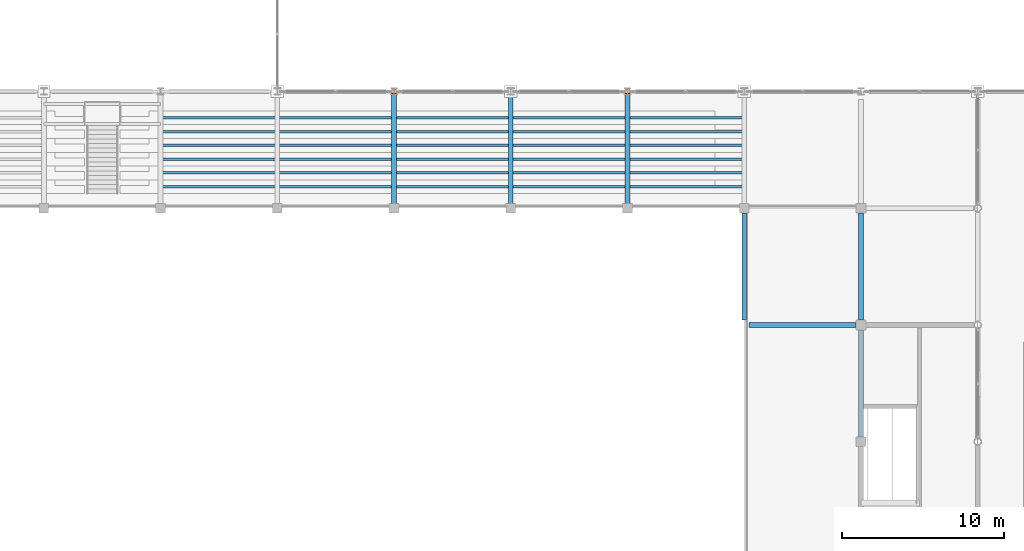
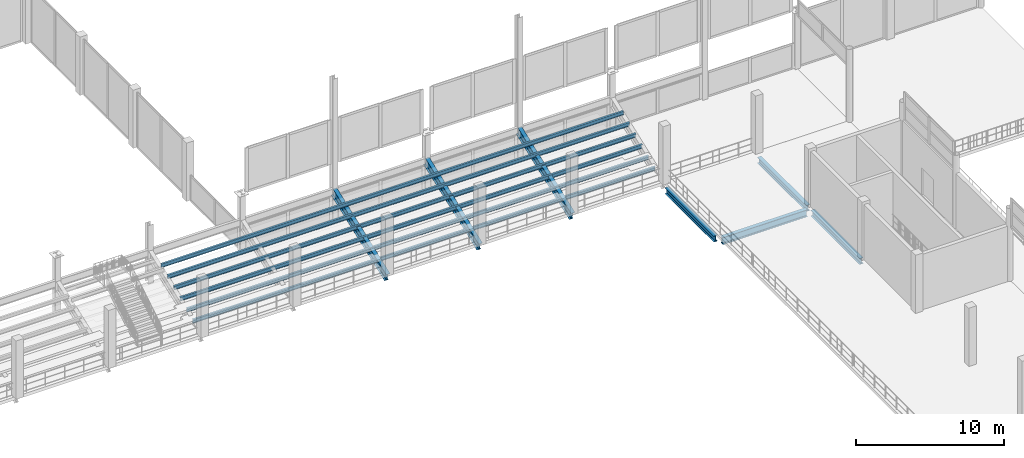
# One storey, part 53 of 120: 13 beams.
"""IFC4 building model written with IfcOpenShell, lengths in metres."""

import ifcopenshell
import ifcopenshell.guid

model = None  # the IFC model being written
_history = None  # IfcOwnerHistory: only IFC2X3 demands one
_inside = {}  # id of a spatial element -> (the spatial element, [elements in it])
_under = {}  # id of a project, library or spatial element -> (it, [spatial elements below it])
_declared = {}  # id of a project -> (the project, [libraries it declares])
_typed = {}  # id of a type object -> (the type object, [elements of that type])
_made_of = {}  # id of a material, layer set ... -> (it, [elements and type objects made of it])


def new_model(schema):
    """Start an empty IFC model of exactly this schema.

    Asked for "IFC4X3", IfcOpenShell would pick the latest addendum, in which some entities
    have other attributes; the version numbers below select the first issue.
    IFC2X3 requires an IfcOwnerHistory on every rooted entity: one is made here for all.
    """
    global model, _history
    if schema == "IFC4X3":
        model = ifcopenshell.file(schema_version=(4, 3, 0, 0))
    else:
        model = ifcopenshell.file(schema=schema)
    _inside.clear()
    _under.clear()
    _declared.clear()
    _typed.clear()
    _made_of.clear()
    _history = None
    if model.schema == "IFC2X3":
        org = make("IfcOrganization", Name="unknown")
        user = make(
            "IfcPersonAndOrganization",
            ThePerson=make("IfcPerson", FamilyName="unknown"),
            TheOrganization=org,
        )
        app = make(
            "IfcApplication",
            ApplicationDeveloper=org,
            Version="unknown",
            ApplicationFullName="unknown",
            ApplicationIdentifier="unknown",
        )
        _history = make(
            "IfcOwnerHistory",
            OwningUser=user,
            OwningApplication=app,
            ChangeAction="ADDED",
            CreationDate=0,
        )
    return model


def make(cls, **values):
    """One entity of the class cls with the attributes given. An attribute that is None is left unset."""
    return model.create_entity(
        cls, **{name: value for name, value in values.items() if value is not None}
    )


def rooted(cls, **values):
    """An entity with a GlobalId (a new one), such as an element, a storey or a relation."""
    return make(cls, GlobalId=ifcopenshell.guid.new(), OwnerHistory=_history, **values)


def si_unit(unit_type, name, prefix=None):
    """IfcSIUnit, for example si_unit("LENGTHUNIT", "METRE", prefix="MILLI")."""
    return make("IfcSIUnit", UnitType=unit_type, Prefix=prefix, Name=name)


def assignment(units):
    """IfcUnitAssignment: the units of a project."""
    return None if units is None else make("IfcUnitAssignment", Units=units)


def point(xyz):
    """IfcCartesianPoint."""
    return None if xyz is None else make("IfcCartesianPoint", Coordinates=xyz)


def direction(xyz):
    """IfcDirection."""
    return None if xyz is None else make("IfcDirection", DirectionRatios=xyz)


def frame(location, z_axis=None, x_axis=None):
    """IfcAxis2Placement3D, a coordinate frame: its origin and axes. An axis left out is left unset."""
    return make(
        "IfcAxis2Placement3D",
        Location=point(location),
        Axis=direction(z_axis),
        RefDirection=direction(x_axis),
    )


def frame_2d(location, x_axis=None):
    """IfcAxis2Placement2D, a coordinate frame in the plane: its origin and x axis."""
    return make(
        "IfcAxis2Placement2D", Location=point(location), RefDirection=direction(x_axis)
    )


def origin():
    """The frame at (0, 0, 0) with its axes left unset."""
    return frame((0.0, 0.0, 0.0))


def origin_2d():
    """The frame at (0, 0) in the plane with its x axis left unset."""
    return frame_2d((0.0, 0.0))


def place(relative_to, where):
    """IfcLocalPlacement: puts the frame where relative to a parent placement (None: the world)."""
    return make(
        "IfcLocalPlacement", PlacementRelTo=relative_to, RelativePlacement=where
    )


def context(
    kind, dimensions, precision=None, world=None, true_north=None, identifier=None
):
    """IfcGeometricRepresentationContext, for example the 3D "Model" context."""
    return make(
        "IfcGeometricRepresentationContext",
        ContextIdentifier=identifier,
        ContextType=kind,
        CoordinateSpaceDimension=dimensions,
        Precision=precision,
        WorldCoordinateSystem=world,
        TrueNorth=true_north,
    )


def subcontext(parent, identifier, kind, view, scale=None):
    """IfcGeometricRepresentationSubContext, for example "Body" below "Model"."""
    return make(
        "IfcGeometricRepresentationSubContext",
        ContextIdentifier=identifier,
        ContextType=kind,
        ParentContext=parent,
        TargetScale=scale,
        TargetView=view,
    )


def project(units=None, contexts=None):
    """IfcProject with its units and contexts."""
    return rooted(
        "IfcProject",
        Name="project",
        RepresentationContexts=contexts,
        UnitsInContext=assignment(units),
    )


def spatial(cls, under=None, at=None, **own):
    """A site, building, storey or space (cls), placed at a placement, below another one or the project."""
    s = rooted(cls, ObjectPlacement=at, **own)
    if under is not None:
        _under.setdefault(under.id(), (under, []))[1].append(s)
    return s


def profile(cls, at=None, kind="AREA", **sizes):
    """A parametric profile (cls). Its sizes go by their IFC names, for example OverallWidth=200.0."""
    return make(cls, ProfileType=kind, Position=at, **sizes)


def i_section(**sizes):
    """IfcIShapeProfileDef."""
    return profile("IfcIShapeProfileDef", **sizes)


def extrude(swept, where, along, depth):
    """IfcExtrudedAreaSolid: the profile swept, set in the frame where, extruded along a direction by depth."""
    return make(
        "IfcExtrudedAreaSolid",
        SweptArea=swept,
        Position=where,
        ExtrudedDirection=direction(along),
        Depth=depth,
    )


def shape(context_of_items, identifier, shape_type, items):
    """IfcShapeRepresentation: the items that make up one representation, for example the "Body"."""
    return make(
        "IfcShapeRepresentation",
        ContextOfItems=context_of_items,
        RepresentationIdentifier=identifier,
        RepresentationType=shape_type,
        Items=items,
    )


def material(Name=None, Category=None):
    """IfcMaterial."""
    return make("IfcMaterial", Name=Name, Category=Category)


def material_profile(
    of_material, cross_section, Name=None, Category=None, Priority=None
):
    """IfcMaterialProfile: a cross section and its material."""
    return make(
        "IfcMaterialProfile",
        Name=Name,
        Material=of_material,
        Profile=cross_section,
        Priority=Priority,
        Category=Category,
    )


def profile_set(profiles, Name=None, composite=None):
    """IfcMaterialProfileSet."""
    return make(
        "IfcMaterialProfileSet",
        Name=Name,
        MaterialProfiles=profiles,
        CompositeProfile=composite,
    )


def made_of(thing, what):
    """Note that an element or type object is made of a material, layer set ...; save() writes the relation."""
    if what is not None:
        _made_of.setdefault(what.id(), (what, []))[1].append(thing)
    return thing


def type_object(cls, material=None, **own):
    """A type object (cls), such as IfcWallType, which elements share."""
    return made_of(rooted(cls, **own), material)


def element(
    cls,
    number,
    at=None,
    inside=None,
    cuts=None,
    type_object=None,
    material=None,
    context=None,
    identifier="Body",
    shape_type=None,
    held_by="IfcProductDefinitionShape",
    body=None,
    shapes=None,
    **own,
):
    """One element of the class cls, such as IfcWall. Its Tag is "e" and its number.

    at: its placement. inside: the storey or other place that contains it. cuts: it is an
    opening in that element (IfcRelVoidsElement). A single representation is given by context,
    identifier, shape_type and body (its items); several are given by shapes. held_by: the class
    of the entity that holds the representations. save() writes the other relations.
    """
    e = rooted(cls, Tag="e%d" % number, ObjectPlacement=at, **own)
    if body is not None:
        shapes = [shape(context, identifier, shape_type, body)]
    if shapes is not None:
        e.Representation = make(held_by, Representations=shapes)
    if inside is not None:
        _inside.setdefault(inside.id(), (inside, []))[1].append(e)
    if cuts is not None:
        rooted(
            "IfcRelVoidsElement", RelatingBuildingElement=cuts, RelatedOpeningElement=e
        )
    if type_object is not None:
        _typed.setdefault(type_object.id(), (type_object, []))[1].append(e)
    return made_of(e, material)


def aggregate(whole, parts):
    """IfcRelAggregates: a whole, such as a stair, and the parts it consists of."""
    return rooted("IfcRelAggregates", RelatingObject=whole, RelatedObjects=parts)


def save(model, path):
    """Write the relations noted so far, then the file.

    IfcRelAggregates (storeys below a building ...), IfcRelContainedInSpatialStructure (elements
    in a storey), IfcRelDefinesByType, IfcRelAssociatesMaterial and IfcRelDeclares: one each for
    every whole, place, type object, material and project.
    """
    for whole, parts in _under.values():
        aggregate(whole, parts)
    for where, things in _inside.values():
        rooted(
            "IfcRelContainedInSpatialStructure",
            RelatedElements=things,
            RelatingStructure=where,
        )
    for kind, things in _typed.values():
        rooted("IfcRelDefinesByType", RelatedObjects=things, RelatingType=kind)
    for what, things in _made_of.values():
        rooted("IfcRelAssociatesMaterial", RelatedObjects=things, RelatingMaterial=what)
    for by, libraries in _declared.values():
        rooted("IfcRelDeclares", RelatingContext=by, RelatedDefinitions=libraries)
    model.write(path)


model = new_model("IFC4")

# Units and contexts
model_context = context("Model", 3, precision=1e-05, world=origin(), true_north=direction((0.0, 1.0)))
body_context = subcontext(model_context, "Body", "Model", "MODEL_VIEW")
ifc_project = project(units=[si_unit("LENGTHUNIT", "METRE"), si_unit("AREAUNIT", "SQUARE_METRE"), si_unit("VOLUMEUNIT", "CUBIC_METRE"), si_unit("PLANEANGLEUNIT", "RADIAN"), si_unit("MASSUNIT", "GRAM", prefix="KILO")], contexts=[model_context])

# Site, building, storey
site_placement = place(None, origin())
site = spatial("IfcSite", under=ifc_project, at=site_placement, CompositionType="ELEMENT")
building_placement = place(site_placement, origin())
building = spatial("IfcBuilding", under=site, at=building_placement, Name="Vesperath Aquatics Centre", CompositionType="ELEMENT")
storey_placement = place(building_placement, frame((0.0, 0.0, 10.199951171875)))
storey = spatial("IfcBuildingStorey", under=building, at=storey_placement, Name="L02", CompositionType="ELEMENT", Elevation=10.199951171875)

# Beams
ifc_material_1 = material(Name="Steel Q355C", Category="steel")
ifc_material_profile_1 = material_profile(ifc_material_1, i_section(OverallWidth=0.300048828125, OverallDepth=0.587890625, WebThickness=0.011962890625, FlangeThickness=0.02001953125, FilletRadius=0.028076171875, at=origin_2d()), Name="HM 588x300x12x20")
ifc_profile_set_1 = profile_set([ifc_material_profile_1], Name="Steel Q355C")
beam_type_1 = type_object("IfcBeamType", Name="BM-G09", PredefinedType="BEAM", material=ifc_profile_set_1)
beam_placement = place(storey_placement, frame((86.699951171875, 72.0, -0.553955078125), z_axis=(1.0, 0.0, 0.0), x_axis=(0.0, 1.0, 0.0)))
element("IfcBeam", 1, at=beam_placement, inside=storey, type_object=beam_type_1, Name="Floor Girder B09 L02 L 13-14", PredefinedType="BEAM", context=body_context, shape_type="SweptSolid", body=[
    extrude(i_section(OverallWidth=0.300048828125, OverallDepth=0.587890625, WebThickness=0.011962890625, FlangeThickness=0.02001953125, FilletRadius=0.028076171875, at=origin_2d()), origin(), (0.0, 0.0, 1.0), 6.60009765625),
])
ifc_material_profile_2 = material_profile(ifc_material_1, i_section(OverallWidth=0.300048828125, OverallDepth=0.488037109375, WebThickness=0.010986328125, FlangeThickness=0.01806640625, FilletRadius=0.02587890625, at=origin_2d()), Name="HM 488x300x11x18")
ifc_profile_set_2 = profile_set([ifc_material_profile_2], Name="Steel Q355C")
beam_type_2 = type_object("IfcBeamType", Name="BM-G10", PredefinedType="BEAM", material=ifc_profile_set_2)
for number, where, z_axis, x_axis, name in (
    (2, (86.39990234375, 72.300048828125, -0.50390625), (0.0, 1.0, 0.0), (-1.0, 0.0, 0.0), "Floor Girder B10 L02 13 L-M"),
    (3, (93.60009765625, 65.10009765625, -0.50390625), (0.0, 1.0, 0.0), (-1.0, 0.0, 0.0), "Floor Girder B10 L02 14 K-L"),
    (4, (93.60009765625, 72.300048828125, -0.50390625), (0.0, 1.0, 0.0), (-1.0, 0.0, 0.0), "Floor Girder B10 L02 14 L-M"),
):
    element("IfcBeam", number, at=place(storey_placement, frame(where, z_axis=z_axis, x_axis=x_axis)), inside=storey, type_object=beam_type_2, Name=name, PredefinedType="BEAM", context=body_context, shape_type="SweptSolid", body=[
        extrude(i_section(OverallWidth=0.300048828125, OverallDepth=0.488037109375, WebThickness=0.010986328125, FlangeThickness=0.01806640625, FilletRadius=0.02587890625, at=origin_2d()), origin(), (0.0, 0.0, 1.0), 6.599853515625),
    ])
ifc_material_profile_3 = material_profile(ifc_material_1, i_section(OverallWidth=0.14990234375, OverallDepth=0.300048828125, WebThickness=0.006591796875, FlangeThickness=0.009033203125, FilletRadius=0.012939453125, at=origin_2d()), Name="HN 300x150x6.5x9")
ifc_profile_set_3 = profile_set([ifc_material_profile_3], Name="Steel Q355C")
beam_type_3 = type_object("IfcBeamType", Name="BM-J06", PredefinedType="JOIST", material=ifc_profile_set_3)
for number, where, z_axis, x_axis, name in (
    (5, (50.39990234375, 80.52490234375, 0.320068359375), (1.0, 0.0, 0.0), (0.0, 1.0, 0.0), "Upper Tier Bearer Beam J06 N-R1-U2M"),
    (6, (50.39990234375, 81.375, 0.719970703125), (1.0, 0.0, 0.0), (0.0, 1.0, 0.0), "Upper Tier Bearer Beam J06 N-R2-U2M"),
    (7, (50.39990234375, 82.22509765625, 1.1201171875), (1.0, 0.0, 0.0), (0.0, 1.0, 0.0), "Upper Tier Bearer Beam J06 N-R3-U2M"),
    (8, (50.39990234375, 83.074951171875, 1.52001953125), (1.0, 0.0, 0.0), (0.0, 1.0, 0.0), "Upper Tier Bearer Beam J06 N-R4-U2M"),
    (9, (50.39990234375, 83.925048828125, 1.920166015625), (1.0, 0.0, 0.0), (0.0, 1.0, 0.0), "Upper Tier Bearer Beam J06 N-R5-U2M"),
    (10, (50.39990234375, 84.77490234375, 2.320068359375), (1.0, 0.0, 0.0), (0.0, 1.0, 0.0), "Upper Tier Bearer Beam J06 N-R6-U2M"),
):
    element("IfcBeam", number, at=place(storey_placement, frame(where, z_axis=z_axis, x_axis=x_axis)), inside=storey, type_object=beam_type_3, Name=name, PredefinedType="JOIST", context=body_context, shape_type="SweptSolid", body=[
        extrude(i_section(OverallWidth=0.14990234375, OverallDepth=0.300048828125, WebThickness=0.006591796875, FlangeThickness=0.009033203125, FilletRadius=0.012939453125, at=origin_2d()), origin(), (0.0, 0.0, 1.0), 36.0),
    ])
ifc_material_2 = material(Name="Steel Q355D", Category="steel")
ifc_material_profile_4 = material_profile(ifc_material_2, i_section(OverallWidth=0.300048828125, OverallDepth=0.699951171875, WebThickness=0.012939453125, FlangeThickness=0.02392578125, FilletRadius=0.028076171875, at=origin_2d()), Name="HN 700x300x13x24")
ifc_profile_set_4 = profile_set([ifc_material_profile_4], Name="Steel Q355D")
beam_type_4 = type_object("IfcBeamType", Name="BM-RK02", PredefinedType="USERDEFINED", material=ifc_profile_set_4)
for number, where, z_axis, x_axis, name in (
    (11, (64.800048828125, 79.199951171875, -0.300048828125), (0.0, 0.936320043878, 0.351147797134), (-1.0, 0.0, 0.0), "Upper Stand RAKER Beam RK02 North 10"),
    (12, (72.0, 79.199951171875, -0.300048828125), (0.0, 0.936320043878, 0.351147797134), (-1.0, 0.0, 0.0), "Upper Stand RAKER Beam RK02 North 11"),
    (13, (79.199951171875, 79.199951171875, -0.300048828125), (0.0, 0.936320043878, 0.351147797134), (-1.0, 0.0, 0.0), "Upper Stand RAKER Beam RK02 North 12"),
):
    element("IfcBeam", number, at=place(storey_placement, frame(where, z_axis=z_axis, x_axis=x_axis)), inside=storey, type_object=beam_type_4, Name=name, ObjectType="RAKER", PredefinedType="USERDEFINED", context=body_context, shape_type="SweptSolid", body=[
        extrude(i_section(OverallWidth=0.300048828125, OverallDepth=0.699951171875, WebThickness=0.012939453125, FlangeThickness=0.02392578125, FilletRadius=0.028076171875, at=origin_2d()), origin(), (0.0, 0.0, 1.0), 7.689697265625),
    ])

save(model, "model.ifc")
